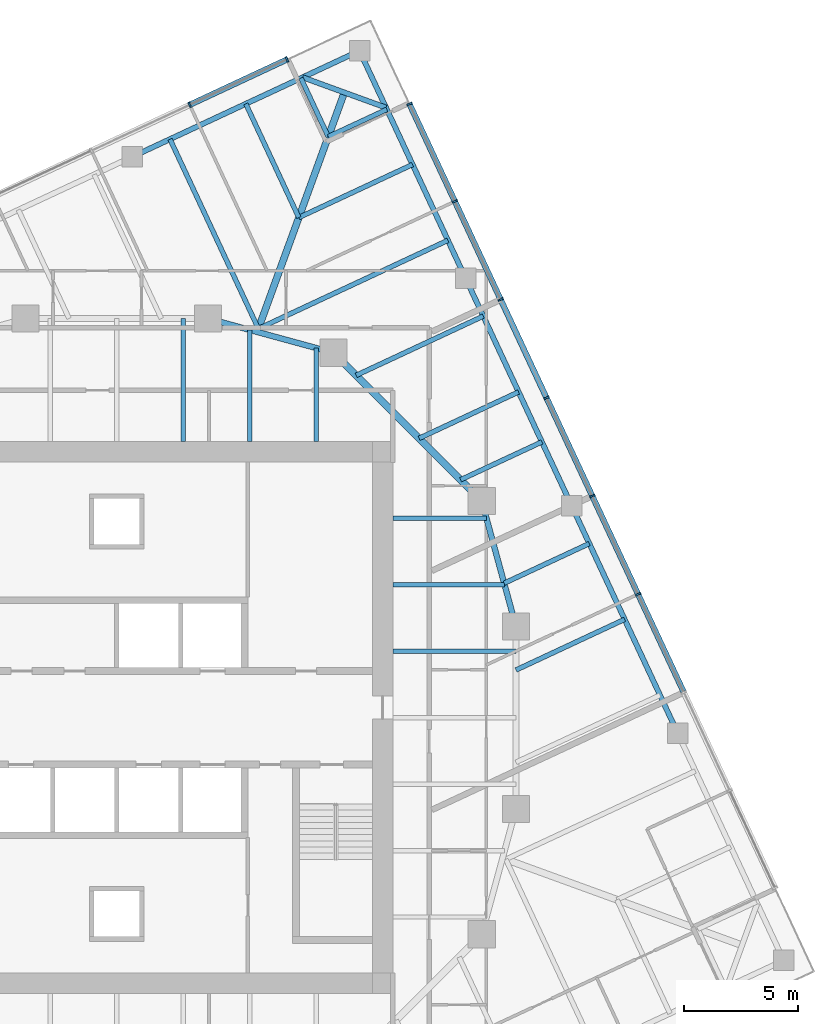
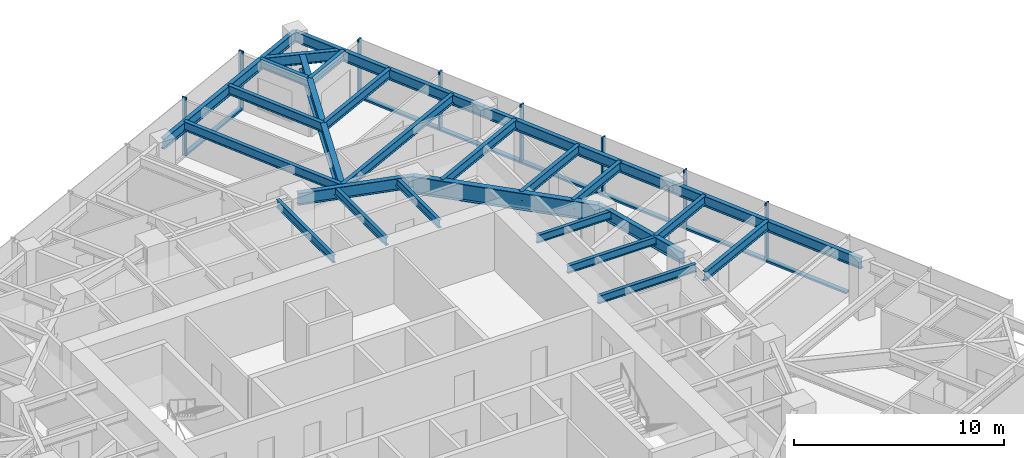
# One storey, part 5 of 12: 26 beams, 15 members, 2 elements without a shape of their own.
"""IFC4 building model written with IfcOpenShell, lengths in metres."""

from ifc_helpers import new_model, si_unit, direction, frame, origin, origin_2d, place, context, subcontext, project, spatial, rectangle, i_section, extrude, material, material_profile, profile_set, type_object, element, aggregate, save


model = new_model("IFC4")

# Units and contexts
model_context = context("Model", 3, precision=1e-05, world=origin(), true_north=direction((0.0, 1.0)))
body_context = subcontext(model_context, "Body", "Model", "MODEL_VIEW")
ifc_project = project(units=[si_unit("LENGTHUNIT", "METRE"), si_unit("AREAUNIT", "SQUARE_METRE"), si_unit("VOLUMEUNIT", "CUBIC_METRE"), si_unit("PLANEANGLEUNIT", "RADIAN"), si_unit("MASSUNIT", "GRAM", prefix="KILO")], contexts=[model_context])

# Site, building, storey
site_placement = place(None, origin())
site = spatial("IfcSite", under=ifc_project, at=site_placement, CompositionType="ELEMENT")
building_placement = place(site_placement, origin())
building = spatial("IfcBuilding", under=site, at=building_placement, Name="Torsade Residences", CompositionType="ELEMENT")
storey_placement = place(building_placement, frame((0.0, 0.0, 186.199951171875)))
storey = spatial("IfcBuildingStorey", under=building, at=storey_placement, Name="L51", CompositionType="ELEMENT", Elevation=186.199951171875)

# Beams
ifc_material_1 = material(Name="Steel grade 300", Category="steel")
ifc_material_profile_1 = material_profile(ifc_material_1, i_section(OverallWidth=0.300048828125, OverallDepth=0.89990234375, WebThickness=0.011962890625, FlangeThickness=0.02490234375, at=origin_2d()), Name="900WB175")
ifc_profile_set_1 = profile_set([ifc_material_profile_1], Name="Steel grade 300")
beam_type_1 = type_object("IfcBeamType", Name="CORNER GIRDER 900WB175", PredefinedType="BEAM", material=ifc_profile_set_1)
beam_1_placement = place(storey_placement, frame((49.97607421875, 57.4091796875, 2.800048828125), z_axis=(-0.342015044723, -0.93969447651, 0.0), x_axis=(0.93969447651, -0.342015044723, 0.0)))
element("IfcBeam", 1, at=beam_1_placement, inside=storey, type_object=beam_type_1, Name="Corner girder 09 L52", PredefinedType="BEAM", context=body_context, shape_type="SweptSolid", body=[
    extrude(i_section(OverallWidth=0.300048828125, OverallDepth=0.89990234375, WebThickness=0.011962890625, FlangeThickness=0.02490234375, at=origin_2d()), origin(), (0.0, 0.0, 1.0), 11.170654296875),
])
ifc_material_2 = material(Name="Steel grade 300", Category="steel")
ifc_material_profile_2 = material_profile(ifc_material_2, i_section(OverallWidth=0.22802734375, OverallDepth=0.60205078125, WebThickness=0.010498046875, FlangeThickness=0.014892578125, FilletRadius=0.013916015625, at=origin_2d()), Name="610UB101")
ifc_profile_set_2 = profile_set([ifc_material_profile_2], Name="Steel grade 300")
beam_type_2 = type_object("IfcBeamType", Name="CORNER TRIMMER 610UB101", PredefinedType="BEAM", material=ifc_profile_set_2)
beam_2_placement = place(storey_placement, frame((48.14892578125, 58.07421875, 2.948974609375), z_axis=(0.939698076972, -0.342005152204, 0.0), x_axis=(0.342005152204, 0.939698076972, 0.0)))
element("IfcBeam", 2, at=beam_2_placement, inside=storey, type_object=beam_type_2, Name="Corner trimmer 09 L52", PredefinedType="BEAM", context=body_context, shape_type="SweptSolid", body=[
    extrude(i_section(OverallWidth=0.22802734375, OverallDepth=0.60205078125, WebThickness=0.010498046875, FlangeThickness=0.014892578125, FilletRadius=0.013916015625, at=origin_2d()), origin(), (0.0, 0.0, 1.0), 3.88916015625),
])
ifc_material_3 = material(Name="Steel grade 300", Category="steel")
ifc_material_profile_3 = material_profile(ifc_material_3, i_section(OverallWidth=0.22900390625, OverallDepth=0.612060546875, WebThickness=0.011962890625, FlangeThickness=0.01953125, FilletRadius=0.013916015625, at=origin_2d()), Name="610UB125")
ifc_profile_set_3 = profile_set([ifc_material_profile_3], Name="Steel grade 300")
beam_type_3 = type_object("IfcBeamType", Name="EDGE BEAM 610UB125", PredefinedType="SPANDREL", material=ifc_profile_set_3)
beam_3_placement = place(storey_placement, frame((64.587646484375, 29.328125, 2.944091796875), z_axis=(-0.422624219007, 0.906305009094, 0.0), x_axis=(-0.906305009094, -0.422624219007, 0.0)))
element("IfcBeam", 3, at=beam_3_placement, inside=storey, type_object=beam_type_3, Name="Edge beam 06 L52", PredefinedType="SPANDREL", context=body_context, shape_type="SweptSolid", body=[
    extrude(i_section(OverallWidth=0.22900390625, OverallDepth=0.612060546875, WebThickness=0.011962890625, FlangeThickness=0.01953125, FilletRadius=0.013916015625, at=origin_2d()), origin(), (0.0, 0.0, 1.0), 11.000244140625),
])
for number, where, z_axis, x_axis, name in (
    (4, (59.938720703125, 39.297607421875, 2.944091796875), (-0.422605988587, 0.906313510001, 0.0), (-0.906313510001, -0.422605988587, 0.0), "Edge beam 07 L52"),
    (5, (55.2900390625, 49.26708984375, 2.944091796875), (-0.422632720171, 0.90630104482, 0.0), (-0.90630104482, -0.422632720171, 0.0), "Edge beam 08 L52"),
):
    element("IfcBeam", number, at=place(storey_placement, frame(where, z_axis=z_axis, x_axis=x_axis)), inside=storey, type_object=beam_type_3, Name=name, PredefinedType="SPANDREL", context=body_context, shape_type="SweptSolid", body=[
        extrude(i_section(OverallWidth=0.22900390625, OverallDepth=0.612060546875, WebThickness=0.011962890625, FlangeThickness=0.01953125, FilletRadius=0.013916015625, at=origin_2d()), origin(), (0.0, 0.0, 1.0), 11.0),
    ])
beam_4_placement = place(storey_placement, frame((50.64111328125, 59.236328125, 2.944091796875), z_axis=(-0.906309546032, -0.422614489543, 0.0), x_axis=(0.422614489543, -0.906309546032, 0.0)))
element("IfcBeam", 6, at=beam_4_placement, inside=storey, type_object=beam_type_3, Name="Edge beam 09 L52", PredefinedType="SPANDREL", context=body_context, shape_type="SweptSolid", body=[
    extrude(i_section(OverallWidth=0.22900390625, OverallDepth=0.612060546875, WebThickness=0.011962890625, FlangeThickness=0.01953125, FilletRadius=0.013916015625, at=origin_2d()), origin(), (0.0, 0.0, 1.0), 10.999755859375),
])
ifc_material_4 = material(Name="Steel grade 300", Category="steel")
ifc_material_profile_4 = material_profile(ifc_material_4, i_section(OverallWidth=0.18994140625, OverallDepth=0.4541015625, WebThickness=0.008544921875, FlangeThickness=0.0126953125, FilletRadius=0.011474609375, at=origin_2d()), Name="460UB67.1")
ifc_profile_set_4 = profile_set([ifc_material_profile_4], Name="Steel grade 300")
beam_type_4 = type_object("IfcBeamType", Name="INNER FLOOR BEAM 460UB67.1", PredefinedType="JOIST", material=ifc_profile_set_4)
beam_5_placement = place(storey_placement, frame((42.91259765625, 42.10009765625, 3.02294921875), z_axis=(0.0, 1.0, 0.0), x_axis=(-1.0, 0.0, 0.0)))
element("IfcBeam", 7, at=beam_5_placement, inside=storey, type_object=beam_type_4, Name="Inner floor beam IN05 L52", PredefinedType="JOIST", context=body_context, shape_type="SweptSolid", body=[
    extrude(i_section(OverallWidth=0.18994140625, OverallDepth=0.4541015625, WebThickness=0.008544921875, FlangeThickness=0.0126953125, FilletRadius=0.011474609375, at=origin_2d()), origin(), (0.0, 0.0, 1.0), 5.39990234375),
])
beam_6_placement = place(storey_placement, frame((45.824951171875, 42.10009765625, 3.02294921875), z_axis=(0.0, 1.0, 0.0), x_axis=(-1.0, 0.0, 0.0)))
element("IfcBeam", 8, at=beam_6_placement, inside=storey, type_object=beam_type_4, Name="Inner floor beam IN06 L52", PredefinedType="JOIST", context=body_context, shape_type="SweptSolid", body=[
    extrude(i_section(OverallWidth=0.18994140625, OverallDepth=0.4541015625, WebThickness=0.008544921875, FlangeThickness=0.0126953125, FilletRadius=0.011474609375, at=origin_2d()), origin(), (0.0, 0.0, 1.0), 4.902099609375),
])
beam_7_placement = place(storey_placement, frame((48.737548828125, 42.10009765625, 3.02294921875), z_axis=(0.0, 1.0, 0.0), x_axis=(-1.0, 0.0, 0.0)))
element("IfcBeam", 9, at=beam_7_placement, inside=storey, type_object=beam_type_4, Name="Inner floor beam IN07 L52", PredefinedType="JOIST", context=body_context, shape_type="SweptSolid", body=[
    extrude(i_section(OverallWidth=0.18994140625, OverallDepth=0.4541015625, WebThickness=0.008544921875, FlangeThickness=0.0126953125, FilletRadius=0.011474609375, at=origin_2d()), origin(), (0.0, 0.0, 1.0), 4.10791015625),
])
beam_8_placement = place(storey_placement, frame((52.10009765625, 32.91259765625, 3.02294921875), z_axis=(1.0, 0.0, 0.0), x_axis=(0.0, 1.0, 0.0)))
element("IfcBeam", 10, at=beam_8_placement, inside=storey, type_object=beam_type_4, Name="Inner floor beam IE05 L52", PredefinedType="JOIST", context=body_context, shape_type="SweptSolid", body=[
    extrude(i_section(OverallWidth=0.18994140625, OverallDepth=0.4541015625, WebThickness=0.008544921875, FlangeThickness=0.0126953125, FilletRadius=0.011474609375, at=origin_2d()), origin(), (0.0, 0.0, 1.0), 5.39990234375),
])
beam_9_placement = place(storey_placement, frame((52.10009765625, 35.824951171875, 3.02294921875), z_axis=(1.0, 0.0, 0.0), x_axis=(0.0, 1.0, 0.0)))
element("IfcBeam", 11, at=beam_9_placement, inside=storey, type_object=beam_type_4, Name="Inner floor beam IE06 L52", PredefinedType="JOIST", context=body_context, shape_type="SweptSolid", body=[
    extrude(i_section(OverallWidth=0.18994140625, OverallDepth=0.4541015625, WebThickness=0.008544921875, FlangeThickness=0.0126953125, FilletRadius=0.011474609375, at=origin_2d()), origin(), (0.0, 0.0, 1.0), 4.902099609375),
])
beam_10_placement = place(storey_placement, frame((52.10009765625, 38.737548828125, 3.02294921875), z_axis=(1.0, 0.0, 0.0), x_axis=(0.0, 1.0, 0.0)))
element("IfcBeam", 12, at=beam_10_placement, inside=storey, type_object=beam_type_4, Name="Inner floor beam IE07 L52", PredefinedType="JOIST", context=body_context, shape_type="SweptSolid", body=[
    extrude(i_section(OverallWidth=0.18994140625, OverallDepth=0.4541015625, WebThickness=0.008544921875, FlangeThickness=0.0126953125, FilletRadius=0.011474609375, at=origin_2d()), origin(), (0.0, 0.0, 1.0), 4.10791015625),
])

# Curtain wall, members
ifc_material_5 = material(Name="Aluminium and glass", Category="aluminium")
curtain_wall_type = type_object("IfcCurtainWallType", Name="FRITTED GLASS CURTAIN WALL MID ZONE", PredefinedType="NOTDEFINED", material=ifc_material_5)
curtain_wall_1_placement = place(storey_placement, origin())
curtain_wall_1 = element("IfcCurtainWall", 13, at=curtain_wall_1_placement, inside=storey, type_object=curtain_wall_type, Name="Curtain wall L51 face 4", PredefinedType="NOTDEFINED")
ifc_material_6 = material(Name="Aluminium mullion", Category="aluminium")
ifc_material_profile_5 = material_profile(ifc_material_6, rectangle(XDim=0.25, YDim=0.080078125, at=origin_2d()), Name="MID ZONE CURTAIN WALL MULLION 250x80")
ifc_profile_set_5 = profile_set([ifc_material_profile_5], Name="Aluminium mullion")
member_type_1 = type_object("IfcMemberType", Name="MID ZONE CURTAIN WALL MULLION 250x80", PredefinedType="MULLION", material=ifc_profile_set_5)
member_1_placement = place(storey_placement, frame((62.8525390625, 35.415283203125, 0.0), z_axis=(0.0, 0.0, 1.0), x_axis=(-0.906307786926, -0.422618261978, 0.0)))
member_1 = element("IfcMember", 14, at=member_1_placement, type_object=member_type_1, Name="Mullion 4", PredefinedType="MULLION", context=body_context, shape_type="SweptSolid", body=[
    extrude(rectangle(XDim=0.25, YDim=0.080078125, at=origin_2d()), origin(), (0.0, 0.0, 1.0), 3.400146484375),
])
member_2_placement = place(storey_placement, frame((60.844970703125, 39.72021484375, 0.0), z_axis=(0.0, 0.0, 1.0), x_axis=(-0.906307786926, -0.422618261978, 0.0)))
member_2 = element("IfcMember", 15, at=member_2_placement, type_object=member_type_1, Name="Mullion 5", PredefinedType="MULLION", context=body_context, shape_type="SweptSolid", body=[
    extrude(rectangle(XDim=0.25, YDim=0.080078125, at=origin_2d()), origin(), (0.0, 0.0, 1.0), 3.400146484375),
])
member_3_placement = place(storey_placement, frame((58.837646484375, 44.025146484375, 0.0), z_axis=(0.0, 0.0, 1.0), x_axis=(-0.906307786926, -0.422618261978, 0.0)))
member_3 = element("IfcMember", 16, at=member_3_placement, type_object=member_type_1, Name="Mullion 6", PredefinedType="MULLION", context=body_context, shape_type="SweptSolid", body=[
    extrude(rectangle(XDim=0.25, YDim=0.080078125, at=origin_2d()), origin(), (0.0, 0.0, 1.0), 3.400146484375),
])
member_4_placement = place(storey_placement, frame((56.830322265625, 48.330078125, 0.0), z_axis=(0.0, 0.0, 1.0), x_axis=(-0.906307786926, -0.422618261978, 0.0)))
member_4 = element("IfcMember", 17, at=member_4_placement, type_object=member_type_1, Name="Mullion 7", PredefinedType="MULLION", context=body_context, shape_type="SweptSolid", body=[
    extrude(rectangle(XDim=0.25, YDim=0.080078125, at=origin_2d()), origin(), (0.0, 0.0, 1.0), 3.400146484375),
])
member_5_placement = place(storey_placement, frame((54.82275390625, 52.635009765625, 0.0), z_axis=(0.0, 0.0, 1.0), x_axis=(-0.906307786926, -0.422618261978, 0.0)))
member_5 = element("IfcMember", 18, at=member_5_placement, type_object=member_type_1, Name="Mullion 8", PredefinedType="MULLION", context=body_context, shape_type="SweptSolid", body=[
    extrude(rectangle(XDim=0.25, YDim=0.080078125, at=origin_2d()), origin(), (0.0, 0.0, 1.0), 3.400146484375),
])
member_6_placement = place(storey_placement, frame((52.832275390625, 56.90380859375, 0.0), z_axis=(0.0, 0.0, 1.0), x_axis=(-0.906307786926, -0.422618261978, 0.0)))
member_6 = element("IfcMember", 19, at=member_6_placement, type_object=member_type_1, Name="Mullion 9", PredefinedType="MULLION", context=body_context, shape_type="SweptSolid", body=[
    extrude(rectangle(XDim=0.25, YDim=0.080078125, at=origin_2d()), origin(), (0.0, 0.0, 1.0), 3.400146484375),
])

curtain_wall_2_placement = place(storey_placement, origin())
curtain_wall_2 = element("IfcCurtainWall", 20, at=curtain_wall_2_placement, inside=storey, type_object=curtain_wall_type, Name="Curtain wall L51 face 7", PredefinedType="NOTDEFINED")
member_7_placement = place(storey_placement, frame((47.46337890625, 58.85791015625, 0.0), z_axis=(0.0, 0.0, 1.0), x_axis=(0.422618261978, -0.906307786926, 0.0)))
member_7 = element("IfcMember", 21, at=member_7_placement, type_object=member_type_1, Name="Mullion 1", PredefinedType="MULLION", context=body_context, shape_type="SweptSolid", body=[
    extrude(rectangle(XDim=0.25, YDim=0.080078125, at=origin_2d()), origin(), (0.0, 0.0, 1.0), 3.400146484375),
])
member_8_placement = place(storey_placement, frame((43.194580078125, 56.867431640625, 0.0), z_axis=(0.0, 0.0, 1.0), x_axis=(0.422618261978, -0.906307786926, 0.0)))
member_8 = element("IfcMember", 22, at=member_8_placement, type_object=member_type_1, Name="Mullion 2", PredefinedType="MULLION", context=body_context, shape_type="SweptSolid", body=[
    extrude(rectangle(XDim=0.25, YDim=0.080078125, at=origin_2d()), origin(), (0.0, 0.0, 1.0), 3.400146484375),
])

# Member
ifc_material_7 = material(Name="Aluminium transom", Category="aluminium")
ifc_material_profile_6 = material_profile(ifc_material_7, rectangle(XDim=0.25, YDim=0.110107421875, at=origin_2d()), Name="MID ZONE CURTAIN WALL TRANSOM 250x110")
ifc_profile_set_6 = profile_set([ifc_material_profile_6], Name="Aluminium transom")
member_type_2 = type_object("IfcMemberType", Name="MID ZONE CURTAIN WALL TRANSOM 250x110", PredefinedType="USERDEFINED", material=ifc_profile_set_6)
member_9_placement = place(storey_placement, frame((64.843017578125, 31.146484375, 0.054931640625), z_axis=(-0.422622145291, 0.906305976097, 0.0), x_axis=(-0.906305976097, -0.422622145291, 0.0)))
member_9 = element("IfcMember", 23, at=member_9_placement, type_object=member_type_2, Name="Transom 3.1", ObjectType="TRANSOM", PredefinedType="USERDEFINED", context=body_context, shape_type="SweptSolid", body=[
    extrude(rectangle(XDim=0.25, YDim=0.110107421875, at=origin_2d()), origin(), (0.0, 0.0, 1.0), 4.669921875),
])

member_10_placement = place(storey_placement, frame((62.835693359375, 35.451416015625, 0.054931640625), z_axis=(-0.422602122035, 0.90631531293, 0.0), x_axis=(-0.90631531293, -0.422602122035, 0.0)))
member_10 = element("IfcMember", 24, at=member_10_placement, type_object=member_type_2, Name="Transom 4.1", ObjectType="TRANSOM", PredefinedType="USERDEFINED", context=body_context, shape_type="SweptSolid", body=[
    extrude(rectangle(XDim=0.25, YDim=0.110107421875, at=origin_2d()), origin(), (0.0, 0.0, 1.0), 4.670166015625),
])

member_11_placement = place(storey_placement, frame((60.828125, 39.756591796875, 0.054931640625), z_axis=(-0.422622145291, 0.906305976097, 0.0), x_axis=(-0.906305976097, -0.422622145291, 0.0)))
member_11 = element("IfcMember", 25, at=member_11_placement, type_object=member_type_2, Name="Transom 5.1", ObjectType="TRANSOM", PredefinedType="USERDEFINED", context=body_context, shape_type="SweptSolid", body=[
    extrude(rectangle(XDim=0.25, YDim=0.110107421875, at=origin_2d()), origin(), (0.0, 0.0, 1.0), 4.669921875),
])

member_12_placement = place(storey_placement, frame((58.82080078125, 44.0615234375, 0.054931640625), z_axis=(-0.422622145291, 0.906305976097, 0.0), x_axis=(-0.906305976097, -0.422622145291, 0.0)))
member_12 = element("IfcMember", 26, at=member_12_placement, type_object=member_type_2, Name="Transom 6.1", ObjectType="TRANSOM", PredefinedType="USERDEFINED", context=body_context, shape_type="SweptSolid", body=[
    extrude(rectangle(XDim=0.25, YDim=0.110107421875, at=origin_2d()), origin(), (0.0, 0.0, 1.0), 4.669921875),
])

member_13_placement = place(storey_placement, frame((56.813232421875, 48.366455078125, 0.054931640625), z_axis=(-0.422622145291, 0.906305976097, 0.0), x_axis=(-0.906305976097, -0.422622145291, 0.0)))
member_13 = element("IfcMember", 27, at=member_13_placement, type_object=member_type_2, Name="Transom 7.1", ObjectType="TRANSOM", PredefinedType="USERDEFINED", context=body_context, shape_type="SweptSolid", body=[
    extrude(rectangle(XDim=0.25, YDim=0.110107421875, at=origin_2d()), origin(), (0.0, 0.0, 1.0), 4.669921875),
])

member_14_placement = place(storey_placement, frame((54.805908203125, 52.67138671875, 0.054931640625), z_axis=(-0.422622764878, 0.906305687176, 0.0), x_axis=(-0.906305687176, -0.422622764878, 0.0)))
member_14 = element("IfcMember", 28, at=member_14_placement, type_object=member_type_2, Name="Transom 8.1", ObjectType="TRANSOM", PredefinedType="USERDEFINED", context=body_context, shape_type="SweptSolid", body=[
    extrude(rectangle(XDim=0.25, YDim=0.110107421875, at=origin_2d()), origin(), (0.0, 0.0, 1.0), 4.630126953125),
])

aggregate(curtain_wall_1, [member_1, member_2, member_3, member_4, member_5, member_6, member_9, member_10, member_11, member_12, member_13, member_14])

member_15_placement = place(storey_placement, frame((47.427001953125, 58.841064453125, 0.054931640625), z_axis=(-0.906296268578, -0.422642962277, 0.0), x_axis=(0.422642962277, -0.906296268578, 0.0)))
member_15 = element("IfcMember", 29, at=member_15_placement, type_object=member_type_2, Name="Transom 1.1", ObjectType="TRANSOM", PredefinedType="USERDEFINED", context=body_context, shape_type="SweptSolid", body=[
    extrude(rectangle(XDim=0.25, YDim=0.110107421875, at=origin_2d()), origin(), (0.0, 0.0, 1.0), 4.6298828125),
])

aggregate(curtain_wall_2, [member_7, member_8, member_15])

# Beams
ifc_material_8 = material(Name="Steel grade 300", Category="steel")
ifc_material_profile_7 = material_profile(ifc_material_8, i_section(OverallWidth=0.300048828125, OverallDepth=1.0, WebThickness=0.01611328125, FlangeThickness=0.028076171875, at=origin_2d()), Name="1000WB215")
ifc_profile_set_7 = profile_set([ifc_material_profile_7], Name="Steel grade 300")
beam_type_5 = type_object("IfcBeamType", Name="RING CORNER GIRDER 1000WB215", PredefinedType="BEAM", material=ifc_profile_set_7)
beam_11_placement = place(storey_placement, frame((56.0, 39.5, 2.75), z_axis=(-0.707106781187, 0.707106781187, 0.0), x_axis=(-0.707106781187, -0.707106781187, 0.0)))
element("IfcBeam", 30, at=beam_11_placement, inside=storey, type_object=beam_type_5, Name="Ring girder IR03 L52", PredefinedType="BEAM", context=body_context, shape_type="SweptSolid", body=[
    extrude(i_section(OverallWidth=0.300048828125, OverallDepth=1.0, WebThickness=0.01611328125, FlangeThickness=0.028076171875, at=origin_2d()), origin(), (0.0, 0.0, 1.0), 9.1923828125),
])
ifc_material_9 = material(Name="Steel grade 300", Category="steel")
ifc_material_profile_8 = material_profile(ifc_material_9, i_section(OverallWidth=0.25, OverallDepth=0.699951171875, WebThickness=0.010009765625, FlangeThickness=0.02001953125, at=origin_2d()), Name="700WB130")
ifc_profile_set_8 = profile_set([ifc_material_profile_8], Name="Steel grade 300")
beam_type_6 = type_object("IfcBeamType", Name="RING GIRDER 700WB130", PredefinedType="BEAM", material=ifc_profile_set_8)
for number, where, z_axis, x_axis, name in (
    (31, (57.5, 34.0, 2.900146484375), (-0.263117405792, 0.964763821238, 0.0), (-0.964763821238, -0.263117405792, 0.0), "Ring girder IR02 L52"),
    (32, (49.5, 46.0, 2.900146484375), (-0.964763821238, 0.263117405792, 0.0), (-0.263117405792, -0.964763821238, 0.0), "Ring girder IR04 L52"),
):
    element("IfcBeam", number, at=place(storey_placement, frame(where, z_axis=z_axis, x_axis=x_axis)), inside=storey, type_object=beam_type_6, Name=name, PredefinedType="BEAM", context=body_context, shape_type="SweptSolid", body=[
        extrude(i_section(OverallWidth=0.25, OverallDepth=0.699951171875, WebThickness=0.010009765625, FlangeThickness=0.02001953125, at=origin_2d()), origin(), (0.0, 0.0, 1.0), 5.700927734375),
    ])
ifc_material_10 = material(Name="Steel grade 300", Category="steel")
ifc_material_profile_9 = material_profile(ifc_material_10, i_section(OverallWidth=0.208984375, OverallDepth=0.528076171875, WebThickness=0.009521484375, FlangeThickness=0.01318359375, FilletRadius=0.013916015625, at=origin_2d()), Name="530UB82.0")
ifc_profile_set_9 = profile_set([ifc_material_profile_9], Name="Steel grade 300")
beam_type_7 = type_object("IfcBeamType", Name="SECONDARY BEAM 530UB82.0", PredefinedType="JOIST", material=ifc_profile_set_9)
beam_12_placement = place(storey_placement, frame((62.26318359375, 34.31298828125, 2.986083984375), z_axis=(-0.90630178035, -0.422631142882, 0.0), x_axis=(0.422631142882, -0.90630178035, 0.0)))
element("IfcBeam", 33, at=beam_12_placement, inside=storey, type_object=beam_type_7, Name="Floor beam FE05 L52", PredefinedType="JOIST", context=body_context, shape_type="SweptSolid", body=[
    extrude(i_section(OverallWidth=0.208984375, OverallDepth=0.528076171875, WebThickness=0.009521484375, FlangeThickness=0.01318359375, FilletRadius=0.013916015625, at=origin_2d()), origin(), (0.0, 0.0, 1.0), 5.255615234375),
])
beam_13_placement = place(storey_placement, frame((60.713623046875, 37.635986328125, 2.986083984375), z_axis=(-0.906299775267, -0.422635442612, 0.0), x_axis=(0.422635442612, -0.906299775267, 0.0)))
element("IfcBeam", 34, at=beam_13_placement, inside=storey, type_object=beam_type_7, Name="Floor beam FE06 L52", PredefinedType="JOIST", context=body_context, shape_type="SweptSolid", body=[
    extrude(i_section(OverallWidth=0.208984375, OverallDepth=0.528076171875, WebThickness=0.009521484375, FlangeThickness=0.01318359375, FilletRadius=0.013916015625, at=origin_2d()), origin(), (0.0, 0.0, 1.0), 4.116455078125),
])
beam_14_placement = place(storey_placement, frame((58.6357421875, 42.092041015625, 2.986083984375), z_axis=(-0.906295680735, -0.422644222818, 0.0), x_axis=(0.422644222818, -0.906295680735, 0.0)))
element("IfcBeam", 35, at=beam_14_placement, inside=storey, type_object=beam_type_7, Name="Floor beam FE07 L52", PredefinedType="JOIST", context=body_context, shape_type="SweptSolid", body=[
    extrude(i_section(OverallWidth=0.208984375, OverallDepth=0.528076171875, WebThickness=0.009521484375, FlangeThickness=0.01318359375, FilletRadius=0.013916015625, at=origin_2d()), origin(), (0.0, 0.0, 1.0), 3.933837890625),
])
beam_15_placement = place(storey_placement, frame((57.6142578125, 44.2822265625, 2.986083984375), z_axis=(-0.906307500203, -0.422618876857, 0.0), x_axis=(0.422618876857, -0.906307500203, 0.0)))
element("IfcBeam", 36, at=beam_15_placement, inside=storey, type_object=beam_type_7, Name="Floor beam FE08 L52", PredefinedType="JOIST", context=body_context, shape_type="SweptSolid", body=[
    extrude(i_section(OverallWidth=0.208984375, OverallDepth=0.528076171875, WebThickness=0.009521484375, FlangeThickness=0.01318359375, FilletRadius=0.013916015625, at=origin_2d()), origin(), (0.0, 0.0, 1.0), 4.813232421875),
])
beam_16_placement = place(storey_placement, frame((56.064697265625, 47.60546875, 2.986083984375), z_axis=(-0.906293692233, -0.42264848683, 0.0), x_axis=(0.42264848683, -0.906293692233, 0.0)))
element("IfcBeam", 37, at=beam_16_placement, inside=storey, type_object=beam_type_7, Name="Floor beam FE09 L52", PredefinedType="JOIST", context=body_context, shape_type="SweptSolid", body=[
    extrude(i_section(OverallWidth=0.208984375, OverallDepth=0.528076171875, WebThickness=0.009521484375, FlangeThickness=0.01318359375, FilletRadius=0.013916015625, at=origin_2d()), origin(), (0.0, 0.0, 1.0), 6.14794921875),
])
beam_17_placement = place(storey_placement, frame((54.51513671875, 50.928466796875, 2.986083984375), z_axis=(-0.90630761667, -0.422618627092, 0.0), x_axis=(0.422618627092, -0.90630761667, 0.0)))
element("IfcBeam", 38, at=beam_17_placement, inside=storey, type_object=beam_type_7, Name="Floor beam FE10 L52", PredefinedType="JOIST", context=body_context, shape_type="SweptSolid", body=[
    extrude(i_section(OverallWidth=0.208984375, OverallDepth=0.528076171875, WebThickness=0.009521484375, FlangeThickness=0.01318359375, FilletRadius=0.013916015625, at=origin_2d()), origin(), (0.0, 0.0, 1.0), 9.166748046875),
])
beam_18_placement = place(storey_placement, frame((52.965576171875, 54.251708984375, 2.986083984375), z_axis=(-0.90630104482, -0.422632720171, 0.0), x_axis=(0.422632720171, -0.90630104482, 0.0)))
element("IfcBeam", 39, at=beam_18_placement, inside=storey, type_object=beam_type_7, Name="Floor beam FE11 L52", PredefinedType="JOIST", context=body_context, shape_type="SweptSolid", body=[
    extrude(i_section(OverallWidth=0.208984375, OverallDepth=0.528076171875, WebThickness=0.009521484375, FlangeThickness=0.01318359375, FilletRadius=0.013916015625, at=origin_2d()), origin(), (0.0, 0.0, 1.0), 5.5),
])
for number, where, z_axis, x_axis, name in (
    (40, (51.838623046875, 56.66845703125, 2.986083984375), (-0.906328379221, -0.42257409885, 0.0), (0.42257409885, -0.906328379221, 0.0), "Floor beam FE12 L52"),
    (41, (48.0732421875, 58.0390625, 2.986083984375), (0.422644877104, -0.906295375613, 0.0), (0.906295375613, 0.422644877104, 0.0), "Floor beam FN01 L52"),
):
    element("IfcBeam", number, at=place(storey_placement, frame(where, z_axis=z_axis, x_axis=x_axis)), inside=storey, type_object=beam_type_7, Name=name, PredefinedType="JOIST", context=body_context, shape_type="SweptSolid", body=[
        extrude(i_section(OverallWidth=0.208984375, OverallDepth=0.528076171875, WebThickness=0.009521484375, FlangeThickness=0.01318359375, FilletRadius=0.013916015625, at=origin_2d()), origin(), (0.0, 0.0, 1.0), 2.833251953125),
    ])
beam_19_placement = place(storey_placement, frame((45.656494140625, 56.911865234375, 2.986083984375), z_axis=(0.422632720171, -0.90630104482, 0.0), x_axis=(0.90630104482, 0.422632720171, 0.0)))
element("IfcBeam", 42, at=beam_19_placement, inside=storey, type_object=beam_type_7, Name="Floor beam FN02 L52", PredefinedType="JOIST", context=body_context, shape_type="SweptSolid", body=[
    extrude(i_section(OverallWidth=0.208984375, OverallDepth=0.528076171875, WebThickness=0.009521484375, FlangeThickness=0.01318359375, FilletRadius=0.013916015625, at=origin_2d()), origin(), (0.0, 0.0, 1.0), 5.5),
])
beam_20_placement = place(storey_placement, frame((42.333251953125, 55.3623046875, 2.986083984375), z_axis=(0.422618627092, -0.90630761667, 0.0), x_axis=(0.90630761667, 0.422618627092, 0.0)))
element("IfcBeam", 43, at=beam_20_placement, inside=storey, type_object=beam_type_7, Name="Floor beam FN03 L52", PredefinedType="JOIST", context=body_context, shape_type="SweptSolid", body=[
    extrude(i_section(OverallWidth=0.208984375, OverallDepth=0.528076171875, WebThickness=0.009521484375, FlangeThickness=0.01318359375, FilletRadius=0.013916015625, at=origin_2d()), origin(), (0.0, 0.0, 1.0), 9.166748046875),
])

save(model, "model.ifc")
